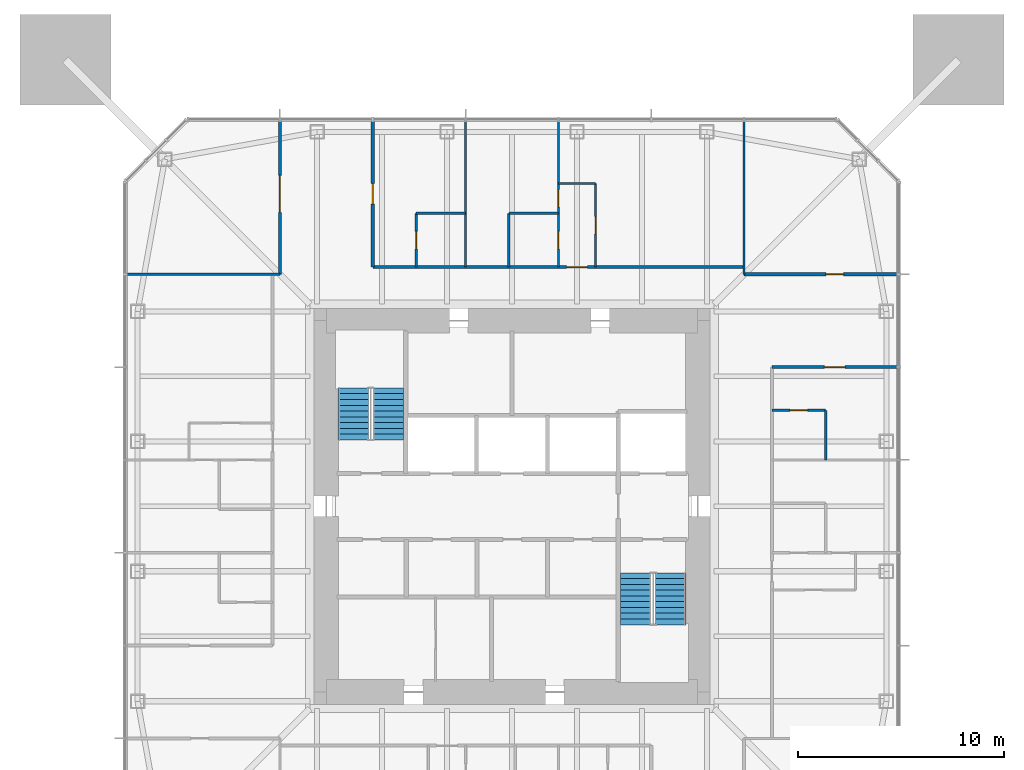
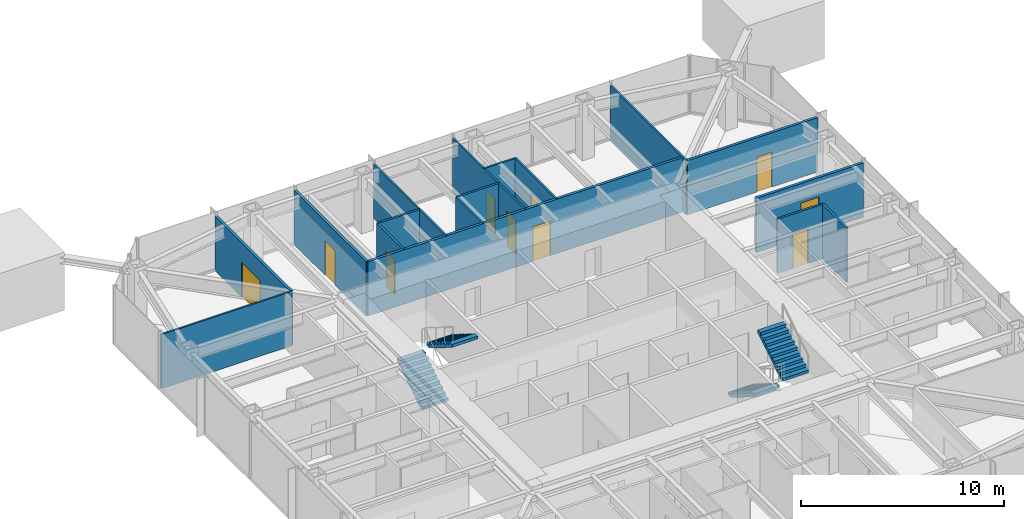
# One storey, part 8 of 11: 17 walls, 10 doors, 4 stair flights, 10 openings, 2 elements without a shape of their own.
"""IFC4 building model written with IfcOpenShell, lengths in metres."""

from ifc_helpers import new_model, si_unit, direction, frame, frame_2d, origin, place, context, subcontext, project, spatial, polyline, rectangle, outline, extrude, material, layer, layer_set, constituent, constituent_set, type_object, element, fill, aggregate, save


model = new_model("IFC4")

# Units and contexts
model_context = context("Model", 3, precision=1e-05, world=origin(), true_north=direction((0.0, 1.0)))
body_context = subcontext(model_context, "Body", "Model", "MODEL_VIEW")
ifc_project = project(units=[si_unit("LENGTHUNIT", "METRE"), si_unit("AREAUNIT", "SQUARE_METRE"), si_unit("VOLUMEUNIT", "CUBIC_METRE"), si_unit("PLANEANGLEUNIT", "RADIAN"), si_unit("MASSUNIT", "GRAM", prefix="KILO")], contexts=[model_context])

# Site, building, storey
site_placement = place(None, origin())
site = spatial("IfcSite", under=ifc_project, at=site_placement, CompositionType="ELEMENT")
building_placement = place(site_placement, origin())
building = spatial("IfcBuilding", under=site, at=building_placement, Name="Iwan Alto Co-Living Towers", CompositionType="ELEMENT")
storey_placement = place(building_placement, frame((0.0, 0.0, 170.5)))
storey = spatial("IfcBuildingStorey", under=building, at=storey_placement, Name="L46", CompositionType="ELEMENT", Elevation=170.5)

# Wall, opening, door
ifc_material_1 = material(Name="Gypsum board")
ifc_layer_1 = layer(ifc_material_1, 0.02490234375, Name="Board", Category="Finish")
ifc_material_2 = material(Name="Steel ASTM A1003 ST33H cold-formed studs", Category="steel")
ifc_layer_2 = layer(ifc_material_2, 0.10009765625, Name="Studs", Category="Framing")
ifc_layer_3 = layer(ifc_material_1, 0.02490234375, Name="Board", Category="Finish")
ifc_layer_set_1 = layer_set([ifc_layer_1, ifc_layer_2, ifc_layer_3], Name="CORRIDOR WALL 150")
wall_type_1 = type_object("IfcWallType", Name="CORRIDOR WALL 150", PredefinedType="PARTITIONING", material=ifc_layer_set_1)
wall_1_placement = place(storey_placement, frame((12.60009765625, 6.75, 0.0), z_axis=(0.0, 0.0, 1.0), x_axis=(1.0, 0.0, 0.0)))
wall_1 = element("IfcWall", 1, at=wall_1_placement, inside=storey, type_object=wall_type_1, Name="Partition L46", PredefinedType="PARTITIONING", context=body_context, shape_type="SweptSolid", body=[
    extrude(rectangle(XDim=6.08984375, YDim=0.14990234375, at=frame_2d((3.044921875, 0.0))), origin(), (0.0, 0.0, 1.0), 3.27001953125),
])
opening_1_placement = place(wall_1_placement, frame((2.544921875, 0.0, 0.0)))
opening_1 = element("IfcOpeningElement", 2, at=opening_1_placement, cuts=wall_1, Name="Opening D3", PredefinedType="OPENING", context=body_context, shape_type="SweptSolid", body=[
    extrude(rectangle(XDim=1.0, YDim=2.10009765625, at=frame_2d((0.5, 1.050048828125))), frame((0.0, 0.0849609375, 0.0), z_axis=(0.0, -1.0, 0.0), x_axis=(1.0, 0.0, 0.0)), (0.0, 0.0, 1.0), 0.169921875),
])
ifc_material_3 = material(Name="Steel frame with timber leaf", Category="steel")
door_type_1 = type_object("IfcDoorType", Name="FLAT ENTRANCE DOOR FD30S 1000X2100", OperationType="SINGLE_SWING_LEFT", PredefinedType="DOOR", material=ifc_material_3)
door_1_placement = place(opening_1_placement, frame((1.0, 0.0, 0.0), z_axis=(0.0, 0.0, 1.0), x_axis=(-1.0, 0.0, 0.0)))
door_1 = element("IfcDoor", 3, at=door_1_placement, inside=storey, type_object=door_type_1, Name="Studio door L46", OperationType="SINGLE_SWING_RIGHT", OverallHeight=2.10009765625, OverallWidth=1.0, PredefinedType="DOOR", context=body_context, shape_type="SweptSolid", body=[
    extrude(rectangle(XDim=1.0, YDim=2.10009765625, at=frame_2d((0.5, 1.050048828125))), frame((0.0, 0.02490234375, 0.0), z_axis=(0.0, -1.0, 0.0), x_axis=(1.0, 0.0, 0.0)), (0.0, 0.0, 1.0), 0.050048828125),
])
fill(opening_1, door_1)

wall_2_placement = place(storey_placement, frame((11.25, 11.25, 0.0), z_axis=(0.0, 0.0, 1.0), x_axis=(1.0, 0.0, 0.0)))
wall_2 = element("IfcWall", 4, at=wall_2_placement, inside=storey, type_object=wall_type_1, Name="Partition L46", PredefinedType="PARTITIONING", context=body_context, shape_type="SweptSolid", body=[
    extrude(rectangle(XDim=7.43994140625, YDim=0.14990234375, at=frame_2d((3.719970703125, 0.0))), origin(), (0.0, 0.0, 1.0), 3.27001953125),
])
opening_2_placement = place(wall_2_placement, frame((3.969970703125, 0.0, 0.0)))
opening_2 = element("IfcOpeningElement", 5, at=opening_2_placement, cuts=wall_2, Name="Opening D2", PredefinedType="OPENING", context=body_context, shape_type="SweptSolid", body=[
    extrude(rectangle(XDim=0.85009765625, YDim=2.10009765625, at=frame_2d((0.425048828125, 1.050048828125))), frame((0.0, 0.0849609375, 0.0), z_axis=(0.0, -1.0, 0.0), x_axis=(1.0, 0.0, 0.0)), (0.0, 0.0, 1.0), 0.169921875),
])
ifc_material_4 = material(Name="Timber leaf in steel frame", Category="steel")
door_type_2 = type_object("IfcDoorType", Name="ROOM DOOR 850X2100", OperationType="SINGLE_SWING_LEFT", PredefinedType="DOOR", material=ifc_material_4)
door_2_placement = place(opening_2_placement, origin())
door_2 = element("IfcDoor", 6, at=door_2_placement, inside=storey, type_object=door_type_2, Name="Shared kitchen and lounge door L46", OperationType="SINGLE_SWING_RIGHT", OverallHeight=2.10009765625, OverallWidth=0.85009765625, PredefinedType="DOOR", context=body_context, shape_type="SweptSolid", body=[
    extrude(rectangle(XDim=0.85009765625, YDim=2.10009765625, at=frame_2d((0.425048828125, 1.050048828125))), frame((0.0, 0.02490234375, 0.0), z_axis=(0.0, -1.0, 0.0), x_axis=(1.0, 0.0, 0.0)), (0.0, 0.0, 1.0), 0.050048828125),
])
fill(opening_2, door_2)

wall_3_placement = place(storey_placement, frame((-6.75, 11.60009765625, 0.0), z_axis=(0.0, 0.0, 1.0), x_axis=(1.0, 0.0, 0.0)))
wall_3 = element("IfcWall", 7, at=wall_3_placement, inside=storey, type_object=wall_type_1, Name="Partition L46", PredefinedType="PARTITIONING", context=body_context, shape_type="SweptSolid", body=[
    extrude(rectangle(XDim=18.0, YDim=0.14990234375, at=frame_2d((9.0, 0.0))), origin(), (0.0, 0.0, 1.0), 3.27001953125),
])
opening_3_placement = place(wall_3_placement, frame((9.39990234375, 0.0, 0.0)))
opening_3 = element("IfcOpeningElement", 8, at=opening_3_placement, cuts=wall_3, Name="Opening D3", PredefinedType="OPENING", context=body_context, shape_type="SweptSolid", body=[
    extrude(rectangle(XDim=1.0, YDim=2.10009765625, at=frame_2d((0.5, 1.050048828125))), frame((0.0, 0.0849609375, 0.0), z_axis=(0.0, -1.0, 0.0), x_axis=(1.0, 0.0, 0.0)), (0.0, 0.0, 1.0), 0.169921875),
])
door_3_placement = place(opening_3_placement, origin())
door_3 = element("IfcDoor", 9, at=door_3_placement, inside=storey, type_object=door_type_1, Name="Apartment foyer door L46", OperationType="SINGLE_SWING_LEFT", OverallHeight=2.10009765625, OverallWidth=1.0, PredefinedType="DOOR", context=body_context, shape_type="SweptSolid", body=[
    extrude(rectangle(XDim=1.0, YDim=2.10009765625, at=frame_2d((0.5, 1.050048828125))), frame((0.0, 0.02490234375, 0.0), z_axis=(0.0, -1.0, 0.0), x_axis=(1.0, 0.0, 0.0)), (0.0, 0.0, 1.0), 0.050048828125),
])
fill(opening_3, door_3)

wall_4_placement = place(storey_placement, frame((-6.75, 11.60009765625, 0.0), z_axis=(0.0, 0.0, 1.0), x_axis=(0.0, 1.0, 0.0)))
wall_4 = element("IfcWall", 10, at=wall_4_placement, inside=storey, type_object=wall_type_1, Name="Partition L46", PredefinedType="PARTITIONING", context=body_context, shape_type="SweptSolid", body=[
    extrude(rectangle(XDim=7.08984375, YDim=0.14990234375, at=frame_2d((3.544921875, 0.0))), origin(), (0.0, 0.0, 1.0), 3.27001953125),
])
opening_4_placement = place(wall_4_placement, frame((3.044921875, 0.0, 0.0)))
opening_4 = element("IfcOpeningElement", 11, at=opening_4_placement, cuts=wall_4, Name="Opening D3", PredefinedType="OPENING", context=body_context, shape_type="SweptSolid", body=[
    extrude(rectangle(XDim=1.0, YDim=2.10009765625, at=frame_2d((0.5, 1.050048828125))), frame((0.0, 0.0849609375, 0.0), z_axis=(0.0, -1.0, 0.0), x_axis=(1.0, 0.0, 0.0)), (0.0, 0.0, 1.0), 0.169921875),
])
door_4_placement = place(opening_4_placement, frame((1.0, 0.0, 0.0), z_axis=(0.0, 0.0, 1.0), x_axis=(-1.0, 0.0, 0.0)))
door_4 = element("IfcDoor", 12, at=door_4_placement, inside=storey, type_object=door_type_1, Name="Studio door L46", OperationType="SINGLE_SWING_RIGHT", OverallHeight=2.10009765625, OverallWidth=1.0, PredefinedType="DOOR", context=body_context, shape_type="SweptSolid", body=[
    extrude(rectangle(XDim=1.0, YDim=2.10009765625, at=frame_2d((0.5, 1.050048828125))), frame((0.0, 0.02490234375, 0.0), z_axis=(0.0, -1.0, 0.0), x_axis=(1.0, 0.0, 0.0)), (0.0, 0.0, 1.0), 0.050048828125),
])
fill(opening_4, door_4)

wall_5_placement = place(storey_placement, frame((-11.25, 11.25, 0.0), z_axis=(0.0, 0.0, 1.0), x_axis=(0.0, 1.0, 0.0)))
wall_5 = element("IfcWall", 13, at=wall_5_placement, inside=storey, type_object=wall_type_1, Name="Partition L46", PredefinedType="PARTITIONING", context=body_context, shape_type="SweptSolid", body=[
    extrude(rectangle(XDim=7.43994140625, YDim=0.14990234375, at=frame_2d((3.719970703125, 0.0))), origin(), (0.0, 0.0, 1.0), 3.27001953125),
])
opening_5_placement = place(wall_5_placement, frame((2.9951171875, 0.0, 0.0)))
opening_5 = element("IfcOpeningElement", 14, at=opening_5_placement, cuts=wall_5, Name="Opening D9", PredefinedType="OPENING", context=body_context, shape_type="SweptSolid", body=[
    extrude(rectangle(XDim=1.800048828125, YDim=2.10009765625, at=frame_2d((0.89990234375, 1.050048828125))), frame((0.0, 0.0849609375, 0.0), z_axis=(0.0, -1.0, 0.0), x_axis=(1.0, 0.0, 0.0)), (0.0, 0.0, 1.0), 0.169921875),
])
ifc_material_5 = material(Name="Steel frame with timber leaf", Category="steel")
door_type_3 = type_object("IfcDoorType", Name="LOUNGE DOOR FD30S 1800X2100", OperationType="DOUBLE_DOOR_SINGLE_SWING", PredefinedType="DOOR", material=ifc_material_5)
door_5_placement = place(opening_5_placement, origin())
door_5 = element("IfcDoor", 15, at=door_5_placement, inside=storey, type_object=door_type_3, Name="Study lounge door L46", OperationType="DOUBLE_DOOR_SINGLE_SWING", OverallHeight=2.10009765625, OverallWidth=1.800048828125, PredefinedType="DOOR", context=body_context, shape_type="SweptSolid", body=[
    extrude(rectangle(XDim=1.800048828125, YDim=2.10009765625, at=frame_2d((0.89990234375, 1.050048828125))), frame((0.0, 0.02490234375, 0.0), z_axis=(0.0, -1.0, 0.0), x_axis=(1.0, 0.0, 0.0)), (0.0, 0.0, 1.0), 0.050048828125),
])
fill(opening_5, door_5)

# Walls
ifc_layer_4 = layer(ifc_material_1, 0.012451171875, Name="Board", Category="Finish")
ifc_layer_5 = layer(ifc_material_2, 0.074951171875, Name="Studs", Category="Framing")
ifc_layer_6 = layer(ifc_material_1, 0.012451171875, Name="Board", Category="Finish")
ifc_layer_set_2 = layer_set([ifc_layer_4, ifc_layer_5, ifc_layer_6], Name="PARTITION 100")
wall_type_2 = type_object("IfcWallType", Name="PARTITION 100", PredefinedType="PARTITIONING", material=ifc_layer_set_2)
wall_6_placement = place(storey_placement, frame((-18.68994140625, 11.25, 0.0), z_axis=(0.0, 0.0, 1.0), x_axis=(1.0, 0.0, 0.0)))
element("IfcWall", 16, at=wall_6_placement, inside=storey, type_object=wall_type_2, Name="Partition L46", PredefinedType="PARTITIONING", context=body_context, shape_type="SweptSolid", body=[
    extrude(rectangle(XDim=7.43994140625, YDim=0.10009765625, at=frame_2d((3.719970703125, 0.0))), origin(), (0.0, 0.0, 1.0), 3.27001953125),
])
wall_7_placement = place(storey_placement, frame((2.25, 15.64990234375, 0.0), z_axis=(0.0, 0.0, 1.0), x_axis=(1.0, 0.0, 0.0)))
element("IfcWall", 17, at=wall_7_placement, inside=storey, type_object=wall_type_2, Name="Partition L46", PredefinedType="PARTITIONING", context=body_context, shape_type="SweptSolid", body=[
    extrude(rectangle(XDim=1.800048828125, YDim=0.10009765625, at=frame_2d((0.89990234375, 0.0))), origin(), (0.0, 0.0, 1.0), 3.27001953125),
])
wall_8_placement = place(storey_placement, frame((11.25, 11.25, 0.0), z_axis=(0.0, 0.0, 1.0), x_axis=(0.0, 1.0, 0.0)))
element("IfcWall", 18, at=wall_8_placement, inside=storey, type_object=wall_type_2, Name="Partition L46", PredefinedType="PARTITIONING", context=body_context, shape_type="SweptSolid", body=[
    extrude(rectangle(XDim=7.43994140625, YDim=0.10009765625, at=frame_2d((3.719970703125, 0.0))), origin(), (0.0, 0.0, 1.0), 3.27001953125),
])

# Wall, opening, door
wall_9_placement = place(storey_placement, frame((4.050048828125, 11.60009765625, 0.0), z_axis=(0.0, 0.0, 1.0), x_axis=(0.0, 1.0, 0.0)))
wall_9 = element("IfcWall", 19, at=wall_9_placement, inside=storey, type_object=wall_type_2, Name="Partition L46", PredefinedType="PARTITIONING", context=body_context, shape_type="SweptSolid", body=[
    extrude(rectangle(XDim=4.0498046875, YDim=0.10009765625, at=frame_2d((2.02490234375, 0.0))), origin(), (0.0, 0.0, 1.0), 3.27001953125),
])
opening_6_placement = place(wall_9_placement, frame((1.60009765625, 0.0, 0.0)))
opening_6 = element("IfcOpeningElement", 20, at=opening_6_placement, cuts=wall_9, Name="Opening D2", PredefinedType="OPENING", context=body_context, shape_type="SweptSolid", body=[
    extrude(rectangle(XDim=0.85009765625, YDim=2.10009765625, at=frame_2d((0.425048828125, 1.050048828125))), frame((0.0, 0.06005859375, 0.0), z_axis=(0.0, -1.0, 0.0), x_axis=(1.0, 0.0, 0.0)), (0.0, 0.0, 1.0), 0.1201171875),
])
door_6_placement = place(opening_6_placement, frame((0.85009765625, 0.0, 0.0), z_axis=(0.0, 0.0, 1.0), x_axis=(-1.0, 0.0, 0.0)))
door_6 = element("IfcDoor", 21, at=door_6_placement, inside=storey, type_object=door_type_2, Name="Apartment foyer door L46", OperationType="SINGLE_SWING_RIGHT", OverallHeight=2.10009765625, OverallWidth=0.85009765625, PredefinedType="DOOR", context=body_context, shape_type="SweptSolid", body=[
    extrude(rectangle(XDim=0.85009765625, YDim=2.10009765625, at=frame_2d((0.425048828125, 1.050048828125))), frame((0.0, 0.02490234375, 0.0), z_axis=(0.0, -1.0, 0.0), x_axis=(1.0, 0.0, 0.0)), (0.0, 0.0, 1.0), 0.050048828125),
])
fill(opening_6, door_6)

# Wall, openings, doors
wall_10_placement = place(storey_placement, frame((2.25, 11.60009765625, 0.0), z_axis=(0.0, 0.0, 1.0), x_axis=(0.0, 1.0, 0.0)))
wall_10 = element("IfcWall", 22, at=wall_10_placement, inside=storey, type_object=wall_type_2, Name="Partition L46", PredefinedType="PARTITIONING", context=body_context, shape_type="SweptSolid", body=[
    extrude(rectangle(XDim=7.08984375, YDim=0.10009765625, at=frame_2d((3.544921875, 0.0))), origin(), (0.0, 0.0, 1.0), 3.27001953125),
])
opening_7_placement = place(wall_10_placement, frame((2.89990234375, 0.0, 0.0)))
opening_7 = element("IfcOpeningElement", 23, at=opening_7_placement, cuts=wall_10, Name="Opening D2", PredefinedType="OPENING", context=body_context, shape_type="SweptSolid", body=[
    extrude(rectangle(XDim=0.85009765625, YDim=2.10009765625, at=frame_2d((0.425048828125, 1.050048828125))), frame((0.0, 0.06005859375, 0.0), z_axis=(0.0, -1.0, 0.0), x_axis=(1.0, 0.0, 0.0)), (0.0, 0.0, 1.0), 0.1201171875),
])
opening_8_placement = place(wall_10_placement, frame((0.875, 0.0, 0.0)))
opening_8 = element("IfcOpeningElement", 24, at=opening_8_placement, cuts=wall_10, Name="Opening D2", PredefinedType="OPENING", context=body_context, shape_type="SweptSolid", body=[
    extrude(rectangle(XDim=0.85009765625, YDim=2.10009765625, at=frame_2d((0.425048828125, 1.050048828125))), frame((0.0, 0.06005859375, 0.0), z_axis=(0.0, -1.0, 0.0), x_axis=(1.0, 0.0, 0.0)), (0.0, 0.0, 1.0), 0.1201171875),
])
door_7_placement = place(opening_7_placement, origin())
door_7 = element("IfcDoor", 25, at=door_7_placement, inside=storey, type_object=door_type_2, Name="Bedroom door L46", OperationType="SINGLE_SWING_LEFT", OverallHeight=2.10009765625, OverallWidth=0.85009765625, PredefinedType="DOOR", context=body_context, shape_type="SweptSolid", body=[
    extrude(rectangle(XDim=0.85009765625, YDim=2.10009765625, at=frame_2d((0.425048828125, 1.050048828125))), frame((0.0, 0.02490234375, 0.0), z_axis=(0.0, -1.0, 0.0), x_axis=(1.0, 0.0, 0.0)), (0.0, 0.0, 1.0), 0.050048828125),
])
fill(opening_7, door_7)
door_8_placement = place(opening_8_placement, origin())
door_8 = element("IfcDoor", 26, at=door_8_placement, inside=storey, type_object=door_type_2, Name="Bathroom door L46", OperationType="SINGLE_SWING_LEFT", OverallHeight=2.10009765625, OverallWidth=0.85009765625, PredefinedType="DOOR", context=body_context, shape_type="SweptSolid", body=[
    extrude(rectangle(XDim=0.85009765625, YDim=2.10009765625, at=frame_2d((0.425048828125, 1.050048828125))), frame((0.0, 0.02490234375, 0.0), z_axis=(0.0, -1.0, 0.0), x_axis=(1.0, 0.0, 0.0)), (0.0, 0.0, 1.0), 0.050048828125),
])
fill(opening_8, door_8)

# Wall
wall_11_placement = place(storey_placement, frame((-2.25, 11.60009765625, 0.0), z_axis=(0.0, 0.0, 1.0), x_axis=(0.0, 1.0, 0.0)))
element("IfcWall", 27, at=wall_11_placement, inside=storey, type_object=wall_type_2, Name="Partition L46", PredefinedType="PARTITIONING", context=body_context, shape_type="SweptSolid", body=[
    extrude(rectangle(XDim=7.08984375, YDim=0.10009765625, at=frame_2d((3.544921875, 0.0))), origin(), (0.0, 0.0, 1.0), 3.27001953125),
])

# Wall, opening, door
ifc_material_6 = material(Name="Cement board")
ifc_layer_7 = layer(ifc_material_6, 0.012451171875, Name="Board", Category="Finish")
ifc_layer_8 = layer(ifc_material_2, 0.094970703125, Name="Studs", Category="Framing")
ifc_layer_9 = layer(ifc_material_6, 0.012451171875, Name="Board", Category="Finish")
ifc_layer_set_3 = layer_set([ifc_layer_7, ifc_layer_8, ifc_layer_9], Name="WET AREA PARTITION 120")
wall_type_3 = type_object("IfcWallType", Name="WET AREA PARTITION 120", PredefinedType="PARTITIONING", material=ifc_layer_set_3)
wall_12_placement = place(storey_placement, frame((12.60009765625, 4.64990234375, 0.0), z_axis=(0.0, 0.0, 1.0), x_axis=(1.0, 0.0, 0.0)))
wall_12 = element("IfcWall", 28, at=wall_12_placement, inside=storey, type_object=wall_type_3, Name="Partition L46", PredefinedType="PARTITIONING", context=body_context, shape_type="SweptSolid", body=[
    extrude(rectangle(XDim=2.599853515625, YDim=0.1201171875, at=frame_2d((1.2998046875, 0.0))), origin(), (0.0, 0.0, 1.0), 3.27001953125),
])
opening_9_placement = place(wall_12_placement, frame((0.875, 0.0, 0.0)))
opening_9 = element("IfcOpeningElement", 29, at=opening_9_placement, cuts=wall_12, Name="Opening D2", PredefinedType="OPENING", context=body_context, shape_type="SweptSolid", body=[
    extrude(rectangle(XDim=0.85009765625, YDim=2.10009765625, at=frame_2d((0.425048828125, 1.050048828125))), frame((0.0, 0.070068359375, 0.0), z_axis=(0.0, -1.0, 0.0), x_axis=(1.0, 0.0, 0.0)), (0.0, 0.0, 1.0), 0.14013671875),
])
door_9_placement = place(opening_9_placement, origin())
door_9 = element("IfcDoor", 30, at=door_9_placement, inside=storey, type_object=door_type_2, Name="En-suite shower room door L46", OperationType="SINGLE_SWING_LEFT", OverallHeight=2.10009765625, OverallWidth=0.85009765625, PredefinedType="DOOR", context=body_context, shape_type="SweptSolid", body=[
    extrude(rectangle(XDim=0.85009765625, YDim=2.10009765625, at=frame_2d((0.425048828125, 1.050048828125))), frame((0.0, 0.02490234375, 0.0), z_axis=(0.0, -1.0, 0.0), x_axis=(1.0, 0.0, 0.0)), (0.0, 0.0, 1.0), 0.050048828125),
])
fill(opening_9, door_9)

# Walls
for number, where, z_axis, x_axis, name in (
    (31, (-4.64990234375, 14.199951171875, 0.0), (0.0, 0.0, 1.0), (1.0, 0.0, 0.0), "Partition L46"),
    (32, (-0.14990234375, 14.199951171875, 0.0), (0.0, 0.0, 1.0), (1.0, 0.0, 0.0), "Partition L46"),
    (33, (15.199951171875, 2.25, 0.0), (0.0, 0.0, 1.0), (0.0, 1.0, 0.0), "Partition L46"),
):
    element("IfcWall", number, at=place(storey_placement, frame(where, z_axis=z_axis, x_axis=x_axis)), inside=storey, type_object=wall_type_3, Name=name, PredefinedType="PARTITIONING", context=body_context, shape_type="SweptSolid", body=[
        extrude(rectangle(XDim=2.39990234375, YDim=0.1201171875, at=frame_2d((1.199951171875, 0.0))), origin(), (0.0, 0.0, 1.0), 3.27001953125),
    ])
wall_13_placement = place(storey_placement, frame((-0.14990234375, 11.60009765625, 0.0), z_axis=(0.0, 0.0, 1.0), x_axis=(0.0, 1.0, 0.0)))
element("IfcWall", 34, at=wall_13_placement, inside=storey, type_object=wall_type_3, Name="Partition L46", PredefinedType="PARTITIONING", context=body_context, shape_type="SweptSolid", body=[
    extrude(rectangle(XDim=2.599853515625, YDim=0.1201171875, at=frame_2d((1.2998046875, 0.0))), origin(), (0.0, 0.0, 1.0), 3.27001953125),
])

# Wall, opening, door
wall_14_placement = place(storey_placement, frame((-4.64990234375, 11.60009765625, 0.0), z_axis=(0.0, 0.0, 1.0), x_axis=(0.0, 1.0, 0.0)))
wall_14 = element("IfcWall", 35, at=wall_14_placement, inside=storey, type_object=wall_type_3, Name="Partition L46", PredefinedType="PARTITIONING", context=body_context, shape_type="SweptSolid", body=[
    extrude(rectangle(XDim=2.599853515625, YDim=0.1201171875, at=frame_2d((1.2998046875, 0.0))), origin(), (0.0, 0.0, 1.0), 3.27001953125),
])
opening_10_placement = place(wall_14_placement, frame((0.875, 0.0, 0.0)))
opening_10 = element("IfcOpeningElement", 36, at=opening_10_placement, cuts=wall_14, Name="Opening D2", PredefinedType="OPENING", context=body_context, shape_type="SweptSolid", body=[
    extrude(rectangle(XDim=0.85009765625, YDim=2.10009765625, at=frame_2d((0.425048828125, 1.050048828125))), frame((0.0, 0.070068359375, 0.0), z_axis=(0.0, -1.0, 0.0), x_axis=(1.0, 0.0, 0.0)), (0.0, 0.0, 1.0), 0.14013671875),
])
door_10_placement = place(opening_10_placement, origin())
door_10 = element("IfcDoor", 37, at=door_10_placement, inside=storey, type_object=door_type_2, Name="En-suite shower room door L46", OperationType="SINGLE_SWING_LEFT", OverallHeight=2.10009765625, OverallWidth=0.85009765625, PredefinedType="DOOR", context=body_context, shape_type="SweptSolid", body=[
    extrude(rectangle(XDim=0.85009765625, YDim=2.10009765625, at=frame_2d((0.425048828125, 1.050048828125))), frame((0.0, 0.02490234375, 0.0), z_axis=(0.0, -1.0, 0.0), x_axis=(1.0, 0.0, 0.0)), (0.0, 0.0, 1.0), 0.050048828125),
])
fill(opening_10, door_10)

# Stair, stair flights
ifc_material_7 = material(Name="Steel ASTM A36", Category="steel")
ifc_constituent_1 = constituent(ifc_material_7, Name="Stringers", Category="LoadBearing")
ifc_material_8 = material(Name="Concrete f'c 30 MPa", Category="concrete")
ifc_constituent_2 = constituent(ifc_material_8, Name="Tread fill", Category="Finish")
ifc_constituent_set_1 = constituent_set(constituents=[ifc_constituent_1, ifc_constituent_2], Name="STAIR 3500 TWO-FLIGHT T1 CORE")
stair_type = type_object("IfcStairType", Name="STAIR 3500 TWO-FLIGHT T1 CORE", PredefinedType="HALF_TURN_STAIR", material=ifc_constituent_set_1)
stair_1_placement = place(storey_placement, origin())
stair_1 = element("IfcStair", 38, at=stair_1_placement, inside=storey, type_object=stair_type, Name="Stair T1-S1 L46 to L47", PredefinedType="HALF_TURN_STAIR")
ifc_constituent_3 = constituent(ifc_material_7, Name="Stringers", Category="LoadBearing")
ifc_constituent_4 = constituent(ifc_material_8, Name="Tread fill", Category="Finish")
ifc_constituent_set_2 = constituent_set(constituents=[ifc_constituent_3, ifc_constituent_4], Name="STAIR FLIGHT 10 RISERS 280 GOING")
stair_flight_type = type_object("IfcStairFlightType", Name="STAIR FLIGHT 10 RISERS 280 GOING", PredefinedType="STRAIGHT", material=ifc_constituent_set_2)
stair_flight_1_placement = place(storey_placement, frame((-7.68994140625, 3.219970703125, 0.0), z_axis=(0.0, 0.0, 1.0), x_axis=(0.0, 1.0, 0.0)))
stair_flight_1 = element("IfcStairFlight", 39, at=stair_flight_1_placement, type_object=stair_flight_type, Name="T1-S1 flight 1", NumberOfRisers=10, NumberOfTreads=9, PredefinedType="STRAIGHT", RiserHeight=0.175, TreadLength=0.28, context=body_context, shape_type="SweptSolid", body=[
    extrude(outline(polyline([(0.0, 0.0), (0.0, 0.175048828125), (0.280029296875, 0.175048828125), (0.280029296875, 0.35009765625), (0.56005859375, 0.35009765625), (0.56005859375, 0.52490234375), (0.840087890625, 0.52490234375), (0.840087890625, 0.699951171875), (1.1201171875, 0.699951171875), (1.1201171875, 0.875), (1.39990234375, 0.875), (1.39990234375, 1.050048828125), (1.679931640625, 1.050048828125), (1.679931640625, 1.22509765625), (1.9599609375, 1.22509765625), (1.9599609375, 1.39990234375), (2.239990234375, 1.39990234375), (2.239990234375, 1.574951171875), (2.52001953125, 1.574951171875), (2.52001953125, 1.75), (2.52001953125, 1.398193359375), (0.28271484375, 0.0), (0.0, 0.0)])), frame((0.0, 0.739990234375, 0.0), z_axis=(0.0, -1.0, 0.0), x_axis=(1.0, 0.0, 0.0)), (0.0, 0.0, 1.0), 1.47998046875),
])
stair_flight_2_placement = place(storey_placement, frame((-6.010009765625, 5.739990234375, 1.75), z_axis=(0.0, 0.0, 1.0), x_axis=(0.0, -1.0, 0.0)))
stair_flight_2 = element("IfcStairFlight", 40, at=stair_flight_2_placement, type_object=stair_flight_type, Name="T1-S1 flight 2", NumberOfRisers=10, NumberOfTreads=9, PredefinedType="STRAIGHT", RiserHeight=0.175, TreadLength=0.28, context=body_context, shape_type="SweptSolid", body=[
    extrude(outline(polyline([(0.0, 0.0), (0.0, 0.175048828125), (0.280029296875, 0.175048828125), (0.280029296875, 0.35009765625), (0.56005859375, 0.35009765625), (0.56005859375, 0.52490234375), (0.840087890625, 0.52490234375), (0.840087890625, 0.699951171875), (1.1201171875, 0.699951171875), (1.1201171875, 0.875), (1.39990234375, 0.875), (1.39990234375, 1.050048828125), (1.679931640625, 1.050048828125), (1.679931640625, 1.22509765625), (1.9599609375, 1.22509765625), (1.9599609375, 1.39990234375), (2.239990234375, 1.39990234375), (2.239990234375, 1.574951171875), (2.52001953125, 1.574951171875), (2.52001953125, 1.75), (2.52001953125, 1.398193359375), (0.28271484375, 0.0), (0.0, 0.0)])), frame((0.0, 0.739990234375, 0.0), z_axis=(0.0, -1.0, 0.0), x_axis=(1.0, 0.0, 0.0)), (0.0, 0.0, 1.0), 1.47998046875),
])
aggregate(stair_1, [stair_flight_1, stair_flight_2])

stair_2_placement = place(storey_placement, origin())
stair_2 = element("IfcStair", 41, at=stair_2_placement, inside=storey, type_object=stair_type, Name="Stair T1-S2 L46 to L47", PredefinedType="HALF_TURN_STAIR")
stair_flight_3_placement = place(storey_placement, frame((6.010009765625, -3.219970703125, 0.0), z_axis=(0.0, 0.0, 1.0), x_axis=(0.0, -1.0, 0.0)))
stair_flight_3 = element("IfcStairFlight", 42, at=stair_flight_3_placement, type_object=stair_flight_type, Name="T1-S2 flight 1", NumberOfRisers=10, NumberOfTreads=9, PredefinedType="STRAIGHT", RiserHeight=0.175, TreadLength=0.28, context=body_context, shape_type="SweptSolid", body=[
    extrude(outline(polyline([(0.0, 0.0), (0.0, 0.175048828125), (0.280029296875, 0.175048828125), (0.280029296875, 0.35009765625), (0.56005859375, 0.35009765625), (0.56005859375, 0.52490234375), (0.840087890625, 0.52490234375), (0.840087890625, 0.699951171875), (1.1201171875, 0.699951171875), (1.1201171875, 0.875), (1.39990234375, 0.875), (1.39990234375, 1.050048828125), (1.679931640625, 1.050048828125), (1.679931640625, 1.22509765625), (1.9599609375, 1.22509765625), (1.9599609375, 1.39990234375), (2.239990234375, 1.39990234375), (2.239990234375, 1.574951171875), (2.52001953125, 1.574951171875), (2.52001953125, 1.75), (2.52001953125, 1.398193359375), (0.28271484375, 0.0), (0.0, 0.0)])), frame((0.0, 0.739990234375, 0.0), z_axis=(0.0, -1.0, 0.0), x_axis=(1.0, 0.0, 0.0)), (0.0, 0.0, 1.0), 1.47998046875),
])
stair_flight_4_placement = place(storey_placement, frame((7.68994140625, -5.739990234375, 1.75), z_axis=(0.0, 0.0, 1.0), x_axis=(0.0, 1.0, 0.0)))
stair_flight_4 = element("IfcStairFlight", 43, at=stair_flight_4_placement, type_object=stair_flight_type, Name="T1-S2 flight 2", NumberOfRisers=10, NumberOfTreads=9, PredefinedType="STRAIGHT", RiserHeight=0.175, TreadLength=0.28, context=body_context, shape_type="SweptSolid", body=[
    extrude(outline(polyline([(0.0, 0.0), (0.0, 0.175048828125), (0.280029296875, 0.175048828125), (0.280029296875, 0.35009765625), (0.56005859375, 0.35009765625), (0.56005859375, 0.52490234375), (0.840087890625, 0.52490234375), (0.840087890625, 0.699951171875), (1.1201171875, 0.699951171875), (1.1201171875, 0.875), (1.39990234375, 0.875), (1.39990234375, 1.050048828125), (1.679931640625, 1.050048828125), (1.679931640625, 1.22509765625), (1.9599609375, 1.22509765625), (1.9599609375, 1.39990234375), (2.239990234375, 1.39990234375), (2.239990234375, 1.574951171875), (2.52001953125, 1.574951171875), (2.52001953125, 1.75), (2.52001953125, 1.398193359375), (0.28271484375, 0.0), (0.0, 0.0)])), frame((0.0, 0.739990234375, 0.0), z_axis=(0.0, -1.0, 0.0), x_axis=(1.0, 0.0, 0.0)), (0.0, 0.0, 1.0), 1.47998046875),
])
aggregate(stair_2, [stair_flight_3, stair_flight_4])

save(model, "model.ifc")
